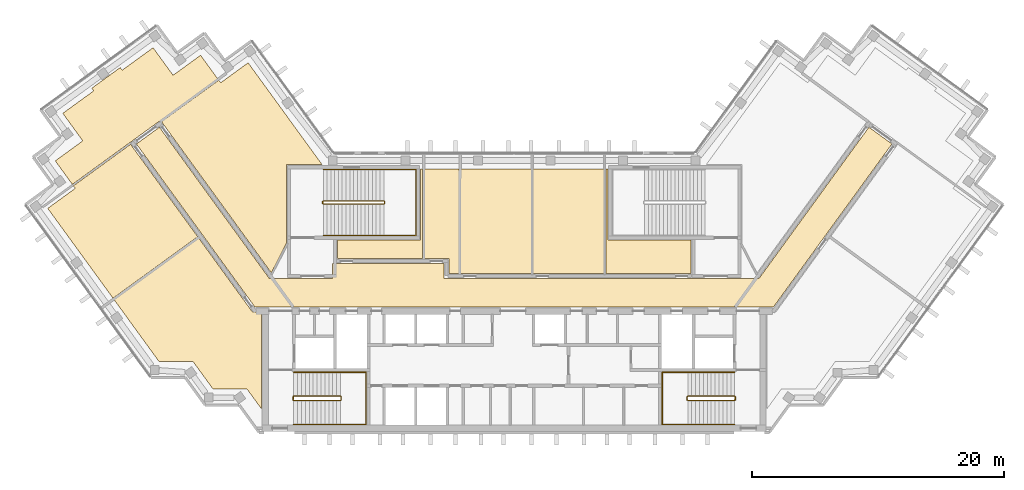
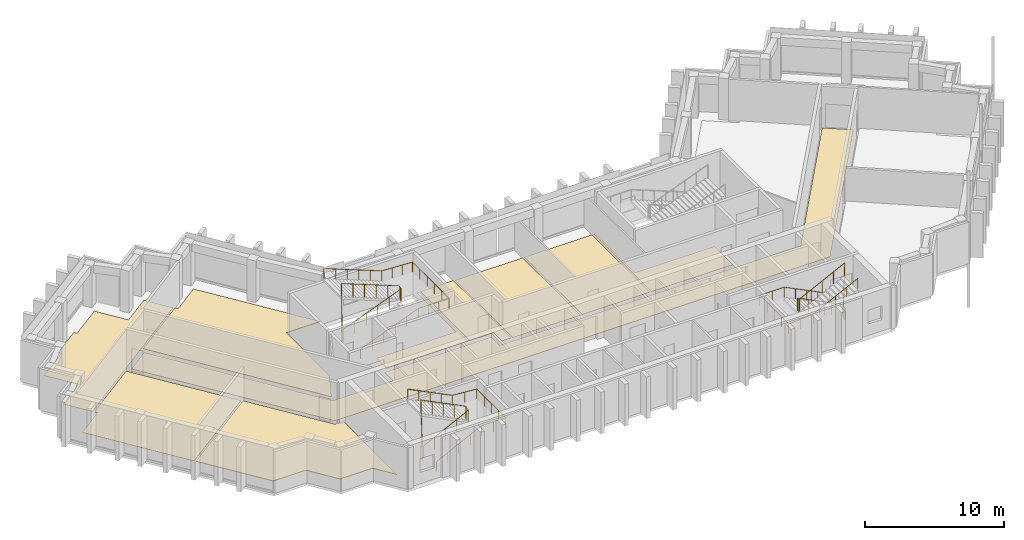
# One storey, part 9 of 10: 10 coverings, 6 railings.
"""IFC4 building model written with IfcOpenShell, lengths in metres."""

from ifc_helpers import new_model, si_unit, direction, frame, origin, origin_2d, place, context, subcontext, project, spatial, polyline, circle, outline, extrude, material, layer, layer_set, type_object, element, save


model = new_model("IFC4")

# Units and contexts
model_context = context("Model", 3, precision=1e-05, world=origin(), true_north=direction((0.0, 1.0)))
body_context = subcontext(model_context, "Body", "Model", "MODEL_VIEW")
ifc_project = project(units=[si_unit("LENGTHUNIT", "METRE"), si_unit("AREAUNIT", "SQUARE_METRE"), si_unit("VOLUMEUNIT", "CUBIC_METRE"), si_unit("PLANEANGLEUNIT", "RADIAN"), si_unit("MASSUNIT", "GRAM", prefix="KILO")], contexts=[model_context])

# Site, building, storey
site_placement = place(None, origin())
site = spatial("IfcSite", under=ifc_project, at=site_placement, CompositionType="ELEMENT")
building_placement = place(site_placement, origin())
building = spatial("IfcBuilding", under=site, at=building_placement, Name="Quipu Civic Tower", CompositionType="ELEMENT")
storey_placement = place(building_placement, frame((0.0, 0.0, 339.0)))
storey = spatial("IfcBuildingStorey", under=building, at=storey_placement, Name="L79", CompositionType="ELEMENT", Elevation=339.0)

# Coverings
ifc_material_1 = material(Name="Carpet tile on raised access floor")
ifc_layer_1 = layer(ifc_material_1, 0.02001953125)
ifc_layer_set_1 = layer_set([ifc_layer_1], Name="Carpet tile on raised access floor")
covering_type_1 = type_object("IfcCoveringType", Name="Carpet tile floor finish 20", PredefinedType="FLOORING", material=ifc_layer_set_1)
covering_1_placement = place(storey_placement, origin())
element("IfcCovering", 1, at=covering_1_placement, inside=storey, type_object=covering_type_1, Name="Carpet tile floor finish 20", PredefinedType="FLOORING", context=body_context, shape_type="SweptSolid", body=[
    extrude(outline(polyline([(-36.425048828125, 10.47705078125), (-34.240966796875, 12.06396484375), (-35.826904296875, 14.248046875), (-33.3701171875, 16.032958984375), (-33.52197265625, 16.2451171875), (-31.27099609375, 17.8798828125), (-31.116943359375, 17.6708984375), (-28.658935546875, 19.455078125), (-27.073974609375, 17.27197265625), (-24.888916015625, 18.85791015625), (-23.531005859375, 16.989013671875), (-35.068115234375, 8.60791015625), (-36.425048828125, 10.47705078125)])), origin(), (0.0, 0.0, 1.0), 0.02001953125),
])
covering_2_placement = place(storey_placement, origin())
element("IfcCovering", 2, at=covering_2_placement, inside=storey, type_object=covering_type_1, Name="Carpet tile floor finish 20", PredefinedType="FLOORING", context=body_context, shape_type="SweptSolid", body=[
    extrude(outline(polyline([(-4.2490234375, 9.830078125), (1.368896484375, 9.830078125), (1.368896484375, 1.52001953125), (-4.2490234375, 1.52001953125), (-4.2490234375, 9.830078125)])), origin(), (0.0, 0.0, 1.0), 0.02001953125),
])
ifc_material_2 = material(Name="Ceramic floor tile")
ifc_layer_2 = layer(ifc_material_2, 0.030029296875)
ifc_layer_set_2 = layer_set([ifc_layer_2], Name="Ceramic floor tile")
covering_type_2 = type_object("IfcCoveringType", Name="Ceramic tile floor finish 30", PredefinedType="FLOORING", material=ifc_layer_set_2)
covering_3_placement = place(storey_placement, origin())
element("IfcCovering", 3, at=covering_3_placement, inside=storey, type_object=covering_type_2, Name="Ceramic tile floor finish 30", PredefinedType="FLOORING", context=body_context, shape_type="SweptSolid", body=[
    extrude(outline(polyline([(1.510009765625, 9.830078125), (7.1279296875, 9.830078125), (7.1279296875, 1.52001953125), (1.510009765625, 1.52001953125), (1.510009765625, 9.830078125)])), origin(), (0.0, 0.0, 1.0), 0.030029296875),
])
covering_4_placement = place(storey_placement, origin())
element("IfcCovering", 4, at=covering_4_placement, inside=storey, type_object=covering_type_2, Name="Ceramic tile floor finish 30", PredefinedType="FLOORING", context=body_context, shape_type="SweptSolid", body=[
    extrude(outline(polyline([(-37.02197265625, 6.7060546875), (-34.839111328125, 8.291015625), (-34.985107421875, 8.493896484375), (-30.446044921875, 11.7919921875), (-25.117919921875, 4.4580078125), (-31.841064453125, -0.426025390625), (-37.02197265625, 6.7060546875)])), origin(), (0.0, 0.0, 1.0), 0.030029296875),
])
covering_5_placement = place(storey_placement, origin())
element("IfcCovering", 5, at=covering_5_placement, inside=storey, type_object=covering_type_2, Name="Ceramic tile floor finish 30", PredefinedType="FLOORING", context=body_context, shape_type="SweptSolid", body=[
    extrude(outline(polyline([(-14.030029296875, 4.179931640625), (-7.430908203125, 4.179931640625), (-7.429931640625, 9.830078125), (-7.26806640625, 9.830078125), (-7.26806640625, 2.719970703125), (-14.030029296875, 2.719970703125), (-14.030029296875, 4.179931640625)])), origin(), (0.0, 0.0, 1.0), 0.030029296875),
])
covering_6_placement = place(storey_placement, origin())
element("IfcCovering", 6, at=covering_6_placement, inside=storey, type_object=covering_type_2, Name="Ceramic tile floor finish 30", PredefinedType="FLOORING", context=body_context, shape_type="SweptSolid", body=[
    extrude(outline(polyline([(7.26806640625, 1.52001953125), (7.26806640625, 9.830078125), (7.429931640625, 9.830078125), (7.429931640625, 4.180908203125), (14.030029296875, 4.179931640625), (14.030029296875, 1.52001953125), (7.26806640625, 1.52001953125)])), origin(), (0.0, 0.0, 1.0), 0.030029296875),
])
ifc_material_3 = material(Name="Sealed cement screed")
ifc_layer_3 = layer(ifc_material_3, 0.050048828125)
ifc_layer_set_3 = layer_set([ifc_layer_3], Name="Sealed cement screed")
covering_type_3 = type_object("IfcCoveringType", Name="Sealed screed floor finish 50", PredefinedType="FLOORING", material=ifc_layer_set_3)
covering_7_placement = place(storey_placement, origin())
element("IfcCovering", 7, at=covering_7_placement, inside=storey, type_object=covering_type_3, Name="Sealed screed floor finish 50", PredefinedType="FLOORING", context=body_context, shape_type="SweptSolid", body=[
    extrude(outline(polyline([(-7.1279296875, 2.719970703125), (-7.1279296875, 9.830078125), (-4.388916015625, 9.830078125), (-4.388916015625, 1.52001953125), (-5.179931640625, 1.52001953125), (-5.180908203125, 2.719970703125), (-7.1279296875, 2.719970703125)])), origin(), (0.0, 0.0, 1.0), 0.050048828125),
])
covering_8_placement = place(storey_placement, origin())
element("IfcCovering", 8, at=covering_8_placement, inside=storey, type_object=covering_type_3, Name="Sealed screed floor finish 50", PredefinedType="FLOORING", context=body_context, shape_type="SweptSolid", body=[
    extrude(outline(polyline([(-27.987060546875, 13.5791015625), (-23.447998046875, 16.876953125), (-23.299072265625, 16.676025390625), (-21.115966796875, 18.260986328125), (-15.238037109375, 10.169921875), (-18.070068359375, 10.1689453125), (-18.070068359375, 3.94189453125), (-19.27197265625, 1.583984375), (-27.987060546875, 13.5791015625)])), origin(), (0.0, 0.0, 1.0), 0.050048828125),
])
covering_9_placement = place(storey_placement, origin())
element("IfcCovering", 9, at=covering_9_placement, inside=storey, type_object=covering_type_3, Name="Sealed screed floor finish 50", PredefinedType="FLOORING", context=body_context, shape_type="SweptSolid", body=[
    extrude(outline(polyline([(-31.758056640625, -0.5390625), (-25.034912109375, 4.344970703125), (-20.77490234375, -1.51904296875), (-20.070068359375, -1.52001953125), (-20.070068359375, -9.195068359375), (-21.196044921875, -7.64599609375), (-23.89501953125, -7.64599609375), (-25.48193359375, -5.4619140625), (-28.181884765625, -5.4609375), (-31.758056640625, -0.5390625)])), origin(), (0.0, 0.0, 1.0), 0.050048828125),
])

# Railings
ifc_material_4 = material(Name="Stainless steel", Category="steel")
railing_type_1 = type_object("IfcRailingType", Name="Stair guard 1100", PredefinedType="GUARDRAIL", material=ifc_material_4)
railing_1_placement = place(storey_placement, frame((-17.5, -8.550048828125, 0.15380859375)))
element("IfcRailing", 10, at=railing_1_placement, inside=storey, type_object=railing_type_1, Name="Stair 1 guard", PredefinedType="GUARDRAIL", context=body_context, shape_type="SweptSolid", body=[
    extrude(circle(Radius=0.02392578125, at=origin_2d()), frame((0.0, 0.0, 1.076171875), z_axis=(0.895751851347, 0.0, 0.444554407028), x_axis=(0.0, 1.0, 0.0)), (0.0, 0.0, 1.0), 4.15283203125),
    extrude(circle(Radius=0.02392578125, at=origin_2d()), frame((3.719970703125, 0.0, 2.92236328125), z_axis=(0.707106781187, 0.707106781187, 0.0), x_axis=(-0.707106781187, 0.707106781187, 0.0)), (0.0, 0.0, 1.0), 0.07080078125),
    extrude(circle(Radius=0.02392578125, at=origin_2d()), frame((3.77001953125, 0.050048828125, 2.92236328125), z_axis=(0.0, 1.0, 0.0), x_axis=(-1.0, 0.0, 0.0)), (0.0, 0.0, 1.0), 0.25),
    extrude(circle(Radius=0.02392578125, at=origin_2d()), frame((3.77001953125, 0.300048828125, 2.92236328125), z_axis=(-0.295599637079, 0.295599637079, 0.908428152975), x_axis=(-0.707106781187, -0.707106781187, 0.0)), (0.0, 0.0, 1.0), 0.16943359375),
    extrude(circle(Radius=0.02392578125, at=origin_2d()), frame((3.719970703125, 0.35009765625, 3.076171875), z_axis=(-0.895751851347, 0.0, 0.444554407028), x_axis=(0.0, -1.0, 0.0)), (0.0, 0.0, 1.0), 4.15283203125),
    extrude(circle(Radius=0.02392578125, at=origin_2d()), frame((0.0, 0.35009765625, 4.92236328125), z_axis=(-0.012476181752, -0.074796231092, -0.997120789425), x_axis=(0.986372223864, -0.164529134168, 0.0)), (0.0, 0.0, 1.0), 4.011474609375),
    extrude(circle(Radius=0.02392578125, at=origin_2d()), frame((-0.050048828125, 0.050048828125, 0.92236328125), z_axis=(0.0, 1.0, 0.0), x_axis=(-1.0, 0.0, 0.0)), (0.0, 0.0, 1.0), 0.25),
    extrude(circle(Radius=0.02099609375, at=origin_2d()), origin(), (0.0, 0.0, 1.0), 1.052001953125),
    extrude(circle(Radius=0.02099609375, at=origin_2d()), frame((0.929931640625, 0.0, 0.46142578125)), (0.0, 0.0, 1.0), 1.052001953125),
    extrude(circle(Radius=0.02099609375, at=origin_2d()), frame((1.85986328125, 0.0, 0.923095703125)), (0.0, 0.0, 1.0), 1.052001953125),
    extrude(circle(Radius=0.02099609375, at=origin_2d()), frame((2.7900390625, 0.0, 1.384765625)), (0.0, 0.0, 1.0), 1.052001953125),
    extrude(circle(Radius=0.02099609375, at=origin_2d()), frame((3.719970703125, 0.0, 1.84619140625)), (0.0, 0.0, 1.0), 1.052001953125),
    extrude(circle(Radius=0.02099609375, at=origin_2d()), frame((3.77001953125, 0.050048828125, 1.84619140625)), (0.0, 0.0, 1.0), 1.052001953125),
    extrude(circle(Radius=0.02099609375, at=origin_2d()), frame((3.77001953125, 0.300048828125, 1.84619140625)), (0.0, 0.0, 1.0), 1.052001953125),
    extrude(circle(Radius=0.02099609375, at=origin_2d()), frame((3.719970703125, 0.35009765625, 2.0)), (0.0, 0.0, 1.0), 1.052001953125),
    extrude(circle(Radius=0.02099609375, at=origin_2d()), frame((2.7900390625, 0.35009765625, 2.46142578125)), (0.0, 0.0, 1.0), 1.052001953125),
    extrude(circle(Radius=0.02099609375, at=origin_2d()), frame((1.85986328125, 0.35009765625, 2.923095703125)), (0.0, 0.0, 1.0), 1.052001953125),
    extrude(circle(Radius=0.02099609375, at=origin_2d()), frame((0.929931640625, 0.35009765625, 3.384765625)), (0.0, 0.0, 1.0), 1.052001953125),
    extrude(circle(Radius=0.02099609375, at=origin_2d()), frame((0.0, 0.35009765625, 3.84619140625)), (0.0, 0.0, 1.0), 1.052001953125),
    extrude(circle(Radius=0.02099609375, at=origin_2d()), frame((-0.012451171875, 0.275146484375, 2.84619140625)), (0.0, 0.0, 1.0), 1.052001953125),
    extrude(circle(Radius=0.02099609375, at=origin_2d()), frame((-0.02490234375, 0.2001953125, 1.84619140625)), (0.0, 0.0, 1.0), 1.052001953125),
    extrude(circle(Radius=0.02099609375, at=origin_2d()), frame((-0.03759765625, 0.125, 0.84619140625)), (0.0, 0.0, 1.0), 1.052001953125),
    extrude(circle(Radius=0.02099609375, at=origin_2d()), frame((-0.050048828125, 0.050048828125, -0.15380859375)), (0.0, 0.0, 1.0), 1.052001953125),
    extrude(circle(Radius=0.02099609375, at=origin_2d()), frame((-0.050048828125, 0.300048828125, -0.15380859375)), (0.0, 0.0, 1.0), 1.052001953125),
])
railing_2_placement = place(storey_placement, frame((17.5, -8.199951171875, 0.15380859375)))
element("IfcRailing", 11, at=railing_2_placement, inside=storey, type_object=railing_type_1, Name="Stair 2 guard", PredefinedType="GUARDRAIL", context=body_context, shape_type="SweptSolid", body=[
    extrude(circle(Radius=0.02392578125, at=origin_2d()), frame((0.0, 0.0, 1.076171875), z_axis=(-0.895751851347, 0.0, 0.444554407028), x_axis=(0.0, -1.0, 0.0)), (0.0, 0.0, 1.0), 4.15283203125),
    extrude(circle(Radius=0.02392578125, at=origin_2d()), frame((-3.719970703125, 0.0, 2.92236328125), z_axis=(-0.707106781187, -0.707106781187, 0.0), x_axis=(0.707106781187, -0.707106781187, 0.0)), (0.0, 0.0, 1.0), 0.07080078125),
    extrude(circle(Radius=0.02392578125, at=origin_2d()), frame((-3.77001953125, -0.050048828125, 2.92236328125), z_axis=(0.0, -1.0, 0.0), x_axis=(1.0, 0.0, 0.0)), (0.0, 0.0, 1.0), 0.25),
    extrude(circle(Radius=0.02392578125, at=origin_2d()), frame((-3.77001953125, -0.300048828125, 2.92236328125), z_axis=(0.295599637079, -0.295599637079, 0.908428152975), x_axis=(0.707106781187, 0.707106781187, 0.0)), (0.0, 0.0, 1.0), 0.16943359375),
    extrude(circle(Radius=0.02392578125, at=origin_2d()), frame((-3.719970703125, -0.35009765625, 3.076171875), z_axis=(0.895751851347, 0.0, 0.444554407028), x_axis=(0.0, 1.0, 0.0)), (0.0, 0.0, 1.0), 4.15283203125),
    extrude(circle(Radius=0.02392578125, at=origin_2d()), frame((0.0, -0.35009765625, 4.92236328125), z_axis=(0.012476181752, 0.074796231092, -0.997120789425), x_axis=(-0.986372223864, 0.164529134168, 0.0)), (0.0, 0.0, 1.0), 4.011474609375),
    extrude(circle(Radius=0.02392578125, at=origin_2d()), frame((0.050048828125, -0.050048828125, 0.92236328125), z_axis=(0.0, -1.0, 0.0), x_axis=(1.0, 0.0, 0.0)), (0.0, 0.0, 1.0), 0.25),
    extrude(circle(Radius=0.02099609375, at=origin_2d()), origin(), (0.0, 0.0, 1.0), 1.052001953125),
    extrude(circle(Radius=0.02099609375, at=origin_2d()), frame((-0.929931640625, 0.0, 0.46142578125)), (0.0, 0.0, 1.0), 1.052001953125),
    extrude(circle(Radius=0.02099609375, at=origin_2d()), frame((-1.85986328125, 0.0, 0.923095703125)), (0.0, 0.0, 1.0), 1.052001953125),
    extrude(circle(Radius=0.02099609375, at=origin_2d()), frame((-2.7900390625, 0.0, 1.384765625)), (0.0, 0.0, 1.0), 1.052001953125),
    extrude(circle(Radius=0.02099609375, at=origin_2d()), frame((-3.719970703125, 0.0, 1.84619140625)), (0.0, 0.0, 1.0), 1.052001953125),
    extrude(circle(Radius=0.02099609375, at=origin_2d()), frame((-3.77001953125, -0.050048828125, 1.84619140625)), (0.0, 0.0, 1.0), 1.052001953125),
    extrude(circle(Radius=0.02099609375, at=origin_2d()), frame((-3.77001953125, -0.300048828125, 1.84619140625)), (0.0, 0.0, 1.0), 1.052001953125),
    extrude(circle(Radius=0.02099609375, at=origin_2d()), frame((-3.719970703125, -0.35009765625, 2.0)), (0.0, 0.0, 1.0), 1.052001953125),
    extrude(circle(Radius=0.02099609375, at=origin_2d()), frame((-2.7900390625, -0.35009765625, 2.46142578125)), (0.0, 0.0, 1.0), 1.052001953125),
    extrude(circle(Radius=0.02099609375, at=origin_2d()), frame((-1.85986328125, -0.35009765625, 2.923095703125)), (0.0, 0.0, 1.0), 1.052001953125),
    extrude(circle(Radius=0.02099609375, at=origin_2d()), frame((-0.929931640625, -0.35009765625, 3.384765625)), (0.0, 0.0, 1.0), 1.052001953125),
    extrude(circle(Radius=0.02099609375, at=origin_2d()), frame((0.0, -0.35009765625, 3.84619140625)), (0.0, 0.0, 1.0), 1.052001953125),
    extrude(circle(Radius=0.02099609375, at=origin_2d()), frame((0.012451171875, -0.275146484375, 2.84619140625)), (0.0, 0.0, 1.0), 1.052001953125),
    extrude(circle(Radius=0.02099609375, at=origin_2d()), frame((0.02490234375, -0.2001953125, 1.84619140625)), (0.0, 0.0, 1.0), 1.052001953125),
    extrude(circle(Radius=0.02099609375, at=origin_2d()), frame((0.03759765625, -0.125, 0.84619140625)), (0.0, 0.0, 1.0), 1.052001953125),
    extrude(circle(Radius=0.02099609375, at=origin_2d()), frame((0.050048828125, -0.050048828125, -0.15380859375)), (0.0, 0.0, 1.0), 1.052001953125),
    extrude(circle(Radius=0.02099609375, at=origin_2d()), frame((0.050048828125, -0.300048828125, -0.15380859375)), (0.0, 0.0, 1.0), 1.052001953125),
])
railing_3_placement = place(storey_placement, frame((-15.14990234375, 7.050048828125, 0.11767578125)))
element("IfcRailing", 12, at=railing_3_placement, inside=storey, type_object=railing_type_1, Name="Stair 3 guard", PredefinedType="GUARDRAIL", context=body_context, shape_type="SweptSolid", body=[
    extrude(circle(Radius=0.02392578125, at=origin_2d()), frame((0.0, 0.0, 1.076171875), z_axis=(0.930970042603, 0.0, 0.365095576219), x_axis=(0.0, 1.0, 0.0)), (0.0, 0.0, 1.0), 5.15576171875),
    extrude(circle(Radius=0.02392578125, at=origin_2d()), frame((4.7998046875, 0.0, 2.95849609375), z_axis=(0.707106781187, 0.707106781187, 0.0), x_axis=(-0.707106781187, 0.707106781187, 0.0)), (0.0, 0.0, 1.0), 0.07080078125),
    extrude(circle(Radius=0.02392578125, at=origin_2d()), frame((4.849853515625, 0.050048828125, 2.95849609375), z_axis=(0.0, 1.0, 0.0), x_axis=(-1.0, 0.0, 0.0)), (0.0, 0.0, 1.0), 0.14990234375),
    extrude(circle(Radius=0.02392578125, at=origin_2d()), frame((4.849853515625, 0.199951171875, 2.95849609375), z_axis=(-0.364463019033, 0.364463019033, 0.856932561824), x_axis=(-0.707106781187, -0.707106781187, 0.0)), (0.0, 0.0, 1.0), 0.13720703125),
    extrude(circle(Radius=0.02392578125, at=origin_2d()), frame((4.7998046875, 0.25, 3.076171875), z_axis=(-0.930970042603, 0.0, 0.365095576219), x_axis=(0.0, -1.0, 0.0)), (0.0, 0.0, 1.0), 5.15576171875),
    extrude(circle(Radius=0.02392578125, at=origin_2d()), frame((0.0, 0.25, 4.95849609375), z_axis=(-0.012495627992, -0.049921557685, -0.998674970829), x_axis=(0.970072785993, -0.242814311512, 0.0)), (0.0, 0.0, 1.0), 4.00537109375),
    extrude(circle(Radius=0.02392578125, at=origin_2d()), frame((-0.050048828125, 0.050048828125, 0.95849609375), z_axis=(0.0, 1.0, 0.0), x_axis=(-1.0, 0.0, 0.0)), (0.0, 0.0, 1.0), 0.14990234375),
    extrude(circle(Radius=0.02099609375, at=origin_2d()), origin(), (0.0, 0.0, 1.0), 1.052001953125),
    extrude(circle(Radius=0.02099609375, at=origin_2d()), frame((0.9599609375, 0.0, 0.37646484375)), (0.0, 0.0, 1.0), 1.052001953125),
    extrude(circle(Radius=0.02099609375, at=origin_2d()), frame((1.919921875, 0.0, 0.7529296875)), (0.0, 0.0, 1.0), 1.052001953125),
    extrude(circle(Radius=0.02099609375, at=origin_2d()), frame((2.8798828125, 0.0, 1.12939453125)), (0.0, 0.0, 1.0), 1.052001953125),
    extrude(circle(Radius=0.02099609375, at=origin_2d()), frame((3.83984375, 0.0, 1.505859375)), (0.0, 0.0, 1.0), 1.052001953125),
    extrude(circle(Radius=0.02099609375, at=origin_2d()), frame((4.7998046875, 0.0, 1.88232421875)), (0.0, 0.0, 1.0), 1.052001953125),
    extrude(circle(Radius=0.02099609375, at=origin_2d()), frame((4.849853515625, 0.050048828125, 1.88232421875)), (0.0, 0.0, 1.0), 1.052001953125),
    extrude(circle(Radius=0.02099609375, at=origin_2d()), frame((4.849853515625, 0.199951171875, 1.88232421875)), (0.0, 0.0, 1.0), 1.052001953125),
    extrude(circle(Radius=0.02099609375, at=origin_2d()), frame((4.7998046875, 0.25, 2.0)), (0.0, 0.0, 1.0), 1.052001953125),
    extrude(circle(Radius=0.02099609375, at=origin_2d()), frame((3.83984375, 0.25, 2.37646484375)), (0.0, 0.0, 1.0), 1.052001953125),
    extrude(circle(Radius=0.02099609375, at=origin_2d()), frame((2.8798828125, 0.25, 2.7529296875)), (0.0, 0.0, 1.0), 1.052001953125),
    extrude(circle(Radius=0.02099609375, at=origin_2d()), frame((1.919921875, 0.25, 3.12939453125)), (0.0, 0.0, 1.0), 1.052001953125),
    extrude(circle(Radius=0.02099609375, at=origin_2d()), frame((0.9599609375, 0.25, 3.505859375)), (0.0, 0.0, 1.0), 1.052001953125),
    extrude(circle(Radius=0.02099609375, at=origin_2d()), frame((0.0, 0.25, 3.88232421875)), (0.0, 0.0, 1.0), 1.052001953125),
    extrude(circle(Radius=0.02099609375, at=origin_2d()), frame((-0.012451171875, 0.199951171875, 2.88232421875)), (0.0, 0.0, 1.0), 1.052001953125),
    extrude(circle(Radius=0.02099609375, at=origin_2d()), frame((-0.02490234375, 0.14990234375, 1.88232421875)), (0.0, 0.0, 1.0), 1.052001953125),
    extrude(circle(Radius=0.02099609375, at=origin_2d()), frame((-0.03759765625, 0.10009765625, 0.88232421875)), (0.0, 0.0, 1.0), 1.052001953125),
    extrude(circle(Radius=0.02099609375, at=origin_2d()), frame((-0.050048828125, 0.050048828125, -0.11767578125)), (0.0, 0.0, 1.0), 1.052001953125),
    extrude(circle(Radius=0.02099609375, at=origin_2d()), frame((-0.050048828125, 0.199951171875, -0.11767578125)), (0.0, 0.0, 1.0), 1.052001953125),
])
ifc_material_5 = material(Name="Stainless steel", Category="steel")
railing_type_2 = type_object("IfcRailingType", Name="Stair handrail", PredefinedType="HANDRAIL", material=ifc_material_5)
railing_4_placement = place(storey_placement, frame((-17.5, -10.449951171875, 0.15380859375)))
element("IfcRailing", 13, at=railing_4_placement, inside=storey, type_object=railing_type_2, Name="Stair 1 handrail", PredefinedType="HANDRAIL", context=body_context, shape_type="SweptSolid", body=[
    extrude(circle(Radius=0.02392578125, at=origin_2d()), frame((0.0, 0.0, 0.8759765625), z_axis=(0.895751851347, 0.0, 0.444554407028), x_axis=(0.0, 1.0, 0.0)), (0.0, 0.0, 1.0), 4.15283203125),
    extrude(circle(Radius=0.02392578125, at=origin_2d()), frame((3.719970703125, 0.0, 2.72216796875), z_axis=(1.0, 0.0, 0.0), x_axis=(0.0, 1.0, 0.0)), (0.0, 0.0, 1.0), 2.030029296875),
    extrude(circle(Radius=0.02392578125, at=origin_2d()), frame((5.75, 0.0, 2.72216796875), z_axis=(0.0, 1.0, 0.0), x_axis=(-1.0, 0.0, 0.0)), (0.0, 0.0, 1.0), 4.14990234375),
    extrude(circle(Radius=0.02392578125, at=origin_2d()), frame((5.75, 4.14990234375, 2.72216796875), z_axis=(-0.997142003663, 0.0, 0.075550145798), x_axis=(0.0, -1.0, 0.0)), (0.0, 0.0, 1.0), 2.035888671875),
    extrude(circle(Radius=0.02392578125, at=origin_2d()), frame((3.719970703125, 4.14990234375, 2.8759765625), z_axis=(-0.895751851347, 0.0, 0.444554407028), x_axis=(0.0, -1.0, 0.0)), (0.0, 0.0, 1.0), 4.15283203125),
    extrude(circle(Radius=0.02099609375, at=origin_2d()), origin(), (0.0, 0.0, 1.0), 0.851806640625),
    extrude(circle(Radius=0.02099609375, at=origin_2d()), frame((0.929931640625, 0.0, 0.46142578125)), (0.0, 0.0, 1.0), 0.851806640625),
    extrude(circle(Radius=0.02099609375, at=origin_2d()), frame((1.85986328125, 0.0, 0.923095703125)), (0.0, 0.0, 1.0), 0.851806640625),
    extrude(circle(Radius=0.02099609375, at=origin_2d()), frame((2.7900390625, 0.0, 1.384765625)), (0.0, 0.0, 1.0), 0.851806640625),
    extrude(circle(Radius=0.02099609375, at=origin_2d()), frame((3.719970703125, 0.0, 1.84619140625)), (0.0, 0.0, 1.0), 0.851806640625),
    extrude(circle(Radius=0.02099609375, at=origin_2d()), frame((4.73486328125, 0.0, 1.84619140625)), (0.0, 0.0, 1.0), 0.851806640625),
    extrude(circle(Radius=0.02099609375, at=origin_2d()), frame((5.75, 0.0, 1.84619140625)), (0.0, 0.0, 1.0), 0.851806640625),
    extrude(circle(Radius=0.02099609375, at=origin_2d()), frame((5.75, 1.03759765625, 1.84619140625)), (0.0, 0.0, 1.0), 0.851806640625),
    extrude(circle(Radius=0.02099609375, at=origin_2d()), frame((5.75, 2.074951171875, 1.84619140625)), (0.0, 0.0, 1.0), 0.851806640625),
    extrude(circle(Radius=0.02099609375, at=origin_2d()), frame((5.75, 3.1123046875, 1.84619140625)), (0.0, 0.0, 1.0), 0.851806640625),
    extrude(circle(Radius=0.02099609375, at=origin_2d()), frame((5.75, 4.14990234375, 1.84619140625)), (0.0, 0.0, 1.0), 0.851806640625),
    extrude(circle(Radius=0.02099609375, at=origin_2d()), frame((4.73486328125, 4.14990234375, 1.923095703125)), (0.0, 0.0, 1.0), 0.851806640625),
    extrude(circle(Radius=0.02099609375, at=origin_2d()), frame((3.719970703125, 4.14990234375, 2.0)), (0.0, 0.0, 1.0), 0.851806640625),
    extrude(circle(Radius=0.02099609375, at=origin_2d()), frame((2.7900390625, 4.14990234375, 2.46142578125)), (0.0, 0.0, 1.0), 0.851806640625),
    extrude(circle(Radius=0.02099609375, at=origin_2d()), frame((1.85986328125, 4.14990234375, 2.923095703125)), (0.0, 0.0, 1.0), 0.851806640625),
    extrude(circle(Radius=0.02099609375, at=origin_2d()), frame((0.929931640625, 4.14990234375, 3.384765625)), (0.0, 0.0, 1.0), 0.851806640625),
    extrude(circle(Radius=0.02099609375, at=origin_2d()), frame((0.0, 4.14990234375, 3.84619140625)), (0.0, 0.0, 1.0), 0.851806640625),
])
railing_5_placement = place(storey_placement, frame((17.5, -6.300048828125, 0.15380859375)))
element("IfcRailing", 14, at=railing_5_placement, inside=storey, type_object=railing_type_2, Name="Stair 2 handrail", PredefinedType="HANDRAIL", context=body_context, shape_type="SweptSolid", body=[
    extrude(circle(Radius=0.02392578125, at=origin_2d()), frame((0.0, 0.0, 0.8759765625), z_axis=(-0.895751851347, 0.0, 0.444554407028), x_axis=(0.0, -1.0, 0.0)), (0.0, 0.0, 1.0), 4.15283203125),
    extrude(circle(Radius=0.02392578125, at=origin_2d()), frame((-3.719970703125, 0.0, 2.72216796875), z_axis=(-1.0, 0.0, 0.0), x_axis=(0.0, -1.0, 0.0)), (0.0, 0.0, 1.0), 2.030029296875),
    extrude(circle(Radius=0.02392578125, at=origin_2d()), frame((-5.75, 0.0, 2.72216796875), z_axis=(0.0, -1.0, 0.0), x_axis=(1.0, 0.0, 0.0)), (0.0, 0.0, 1.0), 4.14990234375),
    extrude(circle(Radius=0.02392578125, at=origin_2d()), frame((-5.75, -4.14990234375, 2.72216796875), z_axis=(0.997142003663, 0.0, 0.075550145798), x_axis=(0.0, 1.0, 0.0)), (0.0, 0.0, 1.0), 2.035888671875),
    extrude(circle(Radius=0.02392578125, at=origin_2d()), frame((-3.719970703125, -4.14990234375, 2.8759765625), z_axis=(0.895751851347, 0.0, 0.444554407028), x_axis=(0.0, 1.0, 0.0)), (0.0, 0.0, 1.0), 4.15283203125),
    extrude(circle(Radius=0.02099609375, at=origin_2d()), origin(), (0.0, 0.0, 1.0), 0.851806640625),
    extrude(circle(Radius=0.02099609375, at=origin_2d()), frame((-0.929931640625, 0.0, 0.46142578125)), (0.0, 0.0, 1.0), 0.851806640625),
    extrude(circle(Radius=0.02099609375, at=origin_2d()), frame((-1.85986328125, 0.0, 0.923095703125)), (0.0, 0.0, 1.0), 0.851806640625),
    extrude(circle(Radius=0.02099609375, at=origin_2d()), frame((-2.7900390625, 0.0, 1.384765625)), (0.0, 0.0, 1.0), 0.851806640625),
    extrude(circle(Radius=0.02099609375, at=origin_2d()), frame((-3.719970703125, 0.0, 1.84619140625)), (0.0, 0.0, 1.0), 0.851806640625),
    extrude(circle(Radius=0.02099609375, at=origin_2d()), frame((-4.73486328125, 0.0, 1.84619140625)), (0.0, 0.0, 1.0), 0.851806640625),
    extrude(circle(Radius=0.02099609375, at=origin_2d()), frame((-5.75, 0.0, 1.84619140625)), (0.0, 0.0, 1.0), 0.851806640625),
    extrude(circle(Radius=0.02099609375, at=origin_2d()), frame((-5.75, -1.03759765625, 1.84619140625)), (0.0, 0.0, 1.0), 0.851806640625),
    extrude(circle(Radius=0.02099609375, at=origin_2d()), frame((-5.75, -2.074951171875, 1.84619140625)), (0.0, 0.0, 1.0), 0.851806640625),
    extrude(circle(Radius=0.02099609375, at=origin_2d()), frame((-5.75, -3.1123046875, 1.84619140625)), (0.0, 0.0, 1.0), 0.851806640625),
    extrude(circle(Radius=0.02099609375, at=origin_2d()), frame((-5.75, -4.14990234375, 1.84619140625)), (0.0, 0.0, 1.0), 0.851806640625),
    extrude(circle(Radius=0.02099609375, at=origin_2d()), frame((-4.73486328125, -4.14990234375, 1.923095703125)), (0.0, 0.0, 1.0), 0.851806640625),
    extrude(circle(Radius=0.02099609375, at=origin_2d()), frame((-3.719970703125, -4.14990234375, 2.0)), (0.0, 0.0, 1.0), 0.851806640625),
    extrude(circle(Radius=0.02099609375, at=origin_2d()), frame((-2.7900390625, -4.14990234375, 2.46142578125)), (0.0, 0.0, 1.0), 0.851806640625),
    extrude(circle(Radius=0.02099609375, at=origin_2d()), frame((-1.85986328125, -4.14990234375, 2.923095703125)), (0.0, 0.0, 1.0), 0.851806640625),
    extrude(circle(Radius=0.02099609375, at=origin_2d()), frame((-0.929931640625, -4.14990234375, 3.384765625)), (0.0, 0.0, 1.0), 0.851806640625),
    extrude(circle(Radius=0.02099609375, at=origin_2d()), frame((0.0, -4.14990234375, 3.84619140625)), (0.0, 0.0, 1.0), 0.851806640625),
])
railing_6_placement = place(storey_placement, frame((-15.14990234375, 4.550048828125, 0.11767578125)))
element("IfcRailing", 15, at=railing_6_placement, inside=storey, type_object=railing_type_2, Name="Stair 3 handrail", PredefinedType="HANDRAIL", context=body_context, shape_type="SweptSolid", body=[
    extrude(circle(Radius=0.02392578125, at=origin_2d()), frame((0.0, 0.0, 0.8759765625), z_axis=(0.930970042603, 0.0, 0.365095576219), x_axis=(0.0, 1.0, 0.0)), (0.0, 0.0, 1.0), 5.15576171875),
    extrude(circle(Radius=0.02392578125, at=origin_2d()), frame((4.7998046875, 0.0, 2.75830078125), z_axis=(1.0, 0.0, 0.0), x_axis=(0.0, 1.0, 0.0)), (0.0, 0.0, 1.0), 2.550048828125),
    extrude(circle(Radius=0.02392578125, at=origin_2d()), frame((7.349853515625, 0.0, 2.75830078125), z_axis=(0.0, 1.0, 0.0), x_axis=(-1.0, 0.0, 0.0)), (0.0, 0.0, 1.0), 5.25),
    extrude(circle(Radius=0.02392578125, at=origin_2d()), frame((7.349853515625, 5.25, 2.75830078125), z_axis=(-0.998936948642, 0.0, 0.04609742549), x_axis=(0.0, -1.0, 0.0)), (0.0, 0.0, 1.0), 2.552734375),
    extrude(circle(Radius=0.02392578125, at=origin_2d()), frame((4.7998046875, 5.25, 2.8759765625), z_axis=(-0.930970042603, 0.0, 0.365095576219), x_axis=(0.0, -1.0, 0.0)), (0.0, 0.0, 1.0), 5.15576171875),
    extrude(circle(Radius=0.02099609375, at=origin_2d()), origin(), (0.0, 0.0, 1.0), 0.851806640625),
    extrude(circle(Radius=0.02099609375, at=origin_2d()), frame((0.9599609375, 0.0, 0.37646484375)), (0.0, 0.0, 1.0), 0.851806640625),
    extrude(circle(Radius=0.02099609375, at=origin_2d()), frame((1.919921875, 0.0, 0.7529296875)), (0.0, 0.0, 1.0), 0.851806640625),
    extrude(circle(Radius=0.02099609375, at=origin_2d()), frame((2.8798828125, 0.0, 1.12939453125)), (0.0, 0.0, 1.0), 0.851806640625),
    extrude(circle(Radius=0.02099609375, at=origin_2d()), frame((3.83984375, 0.0, 1.505859375)), (0.0, 0.0, 1.0), 0.851806640625),
    extrude(circle(Radius=0.02099609375, at=origin_2d()), frame((4.7998046875, 0.0, 1.88232421875)), (0.0, 0.0, 1.0), 0.851806640625),
    extrude(circle(Radius=0.02099609375, at=origin_2d()), frame((5.64990234375, 0.0, 1.88232421875)), (0.0, 0.0, 1.0), 0.851806640625),
    extrude(circle(Radius=0.02099609375, at=origin_2d()), frame((6.499755859375, 0.0, 1.88232421875)), (0.0, 0.0, 1.0), 0.851806640625),
    extrude(circle(Radius=0.02099609375, at=origin_2d()), frame((7.349853515625, 0.0, 1.88232421875)), (0.0, 0.0, 1.0), 0.851806640625),
    extrude(circle(Radius=0.02099609375, at=origin_2d()), frame((7.349853515625, 1.050048828125, 1.88232421875)), (0.0, 0.0, 1.0), 0.851806640625),
    extrude(circle(Radius=0.02099609375, at=origin_2d()), frame((7.349853515625, 2.10009765625, 1.88232421875)), (0.0, 0.0, 1.0), 0.851806640625),
    extrude(circle(Radius=0.02099609375, at=origin_2d()), frame((7.349853515625, 3.14990234375, 1.88232421875)), (0.0, 0.0, 1.0), 0.851806640625),
    extrude(circle(Radius=0.02099609375, at=origin_2d()), frame((7.349853515625, 4.199951171875, 1.88232421875)), (0.0, 0.0, 1.0), 0.851806640625),
    extrude(circle(Radius=0.02099609375, at=origin_2d()), frame((7.349853515625, 5.25, 1.88232421875)), (0.0, 0.0, 1.0), 0.851806640625),
    extrude(circle(Radius=0.02099609375, at=origin_2d()), frame((6.499755859375, 5.25, 1.921630859375)), (0.0, 0.0, 1.0), 0.851806640625),
    extrude(circle(Radius=0.02099609375, at=origin_2d()), frame((5.64990234375, 5.25, 1.960693359375)), (0.0, 0.0, 1.0), 0.851806640625),
    extrude(circle(Radius=0.02099609375, at=origin_2d()), frame((4.7998046875, 5.25, 2.0)), (0.0, 0.0, 1.0), 0.851806640625),
    extrude(circle(Radius=0.02099609375, at=origin_2d()), frame((3.83984375, 5.25, 2.37646484375)), (0.0, 0.0, 1.0), 0.851806640625),
    extrude(circle(Radius=0.02099609375, at=origin_2d()), frame((2.8798828125, 5.25, 2.7529296875)), (0.0, 0.0, 1.0), 0.851806640625),
    extrude(circle(Radius=0.02099609375, at=origin_2d()), frame((1.919921875, 5.25, 3.12939453125)), (0.0, 0.0, 1.0), 0.851806640625),
    extrude(circle(Radius=0.02099609375, at=origin_2d()), frame((0.9599609375, 5.25, 3.505859375)), (0.0, 0.0, 1.0), 0.851806640625),
    extrude(circle(Radius=0.02099609375, at=origin_2d()), frame((0.0, 5.25, 3.88232421875)), (0.0, 0.0, 1.0), 0.851806640625),
])

# Covering
ifc_material_6 = material(Name="Terrazzo floor finish")
ifc_layer_4 = layer(ifc_material_6, 0.0400390625)
ifc_layer_set_4 = layer_set([ifc_layer_4], Name="Terrazzo floor finish")
covering_type_4 = type_object("IfcCoveringType", Name="Terrazzo floor finish 40", PredefinedType="FLOORING", material=ifc_layer_set_4)
covering_10_placement = place(storey_placement, origin())
element("IfcCovering", 16, at=covering_10_placement, inside=storey, type_object=covering_type_4, Name="Terrazzo floor finish 40", PredefinedType="FLOORING", context=body_context, shape_type="SweptSolid", body=[
    extrude(outline(polyline([(19.425048828125, 1.1298828125), (28.155029296875, 13.14697265625), (29.98291015625, 11.819091796875), (20.574951171875, -1.1298828125), (-20.574951171875, -1.1298828125), (-29.98291015625, 11.819091796875), (-28.155029296875, 13.14697265625), (-19.425048828125, 1.1298828125), (-14.429931640625, 1.1298828125), (-14.429931640625, 2.330078125), (-5.570068359375, 2.330078125), (-5.570068359375, 1.1298828125), (19.425048828125, 1.1298828125)])), origin(), (0.0, 0.0, 1.0), 0.0400390625),
])

save(model, "model.ifc")
